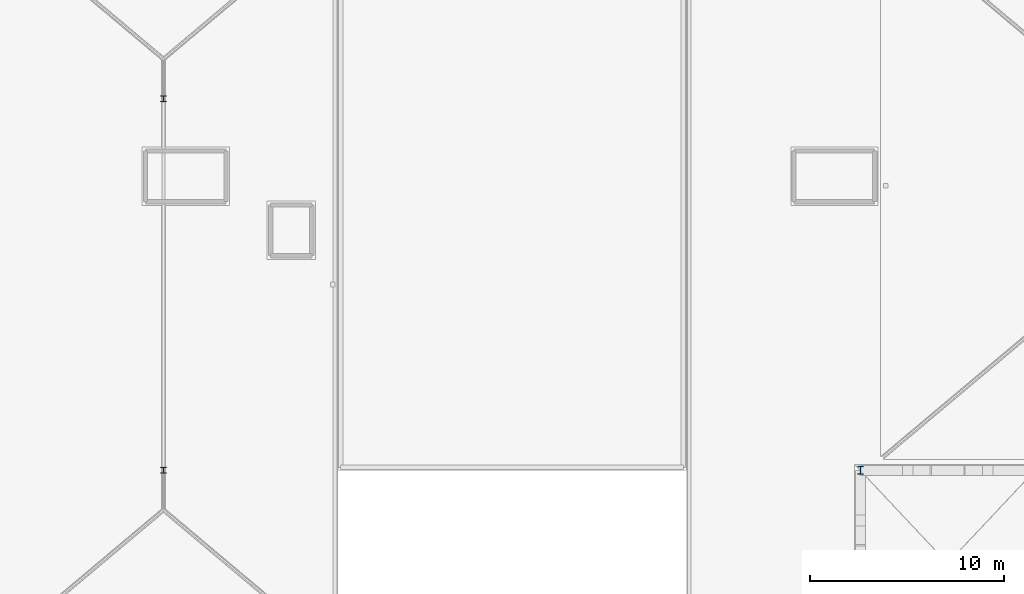
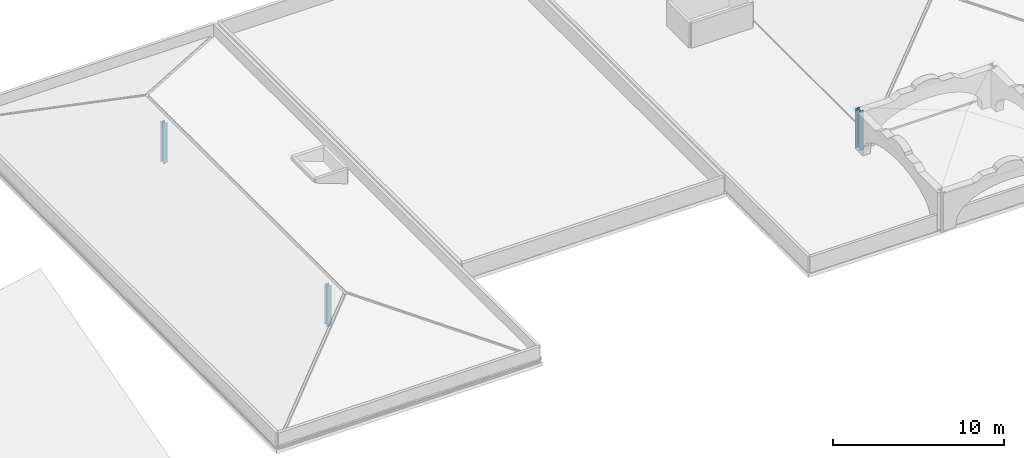
# One storey, part 2 of 16: 3 columns.
"""IFC4 building model written with IfcOpenShell, lengths in metres."""

from ifc_helpers import new_model, si_unit, direction, frame, origin, origin_2d, place, context, subcontext, project, spatial, i_section, extrude, material, material_profile, profile_set, type_object, element, save


model = new_model("IFC4")

# Units and contexts
model_context = context("Model", 3, precision=1e-05, world=origin(), true_north=direction((0.0, 1.0)))
body_context = subcontext(model_context, "Body", "Model", "MODEL_VIEW")
ifc_project = project(units=[si_unit("LENGTHUNIT", "METRE"), si_unit("AREAUNIT", "SQUARE_METRE"), si_unit("VOLUMEUNIT", "CUBIC_METRE"), si_unit("PLANEANGLEUNIT", "RADIAN"), si_unit("MASSUNIT", "GRAM", prefix="KILO")], contexts=[model_context])

# Site, building, storey
site_placement = place(None, origin())
site = spatial("IfcSite", under=ifc_project, at=site_placement, CompositionType="ELEMENT")
building_placement = place(site_placement, origin())
building = spatial("IfcBuilding", under=site, at=building_placement, Name="Myrtia Square Station", CompositionType="ELEMENT")
storey_placement = place(building_placement, frame((0.0, 0.0, 22.800048828125)))
storey = spatial("IfcBuildingStorey", under=building, at=storey_placement, Name="RF", CompositionType="ELEMENT", Elevation=22.800048828125)

# Columns
ifc_material = material(Name="Steel S355", Category="steel")
ifc_material_profile_1 = material_profile(ifc_material, i_section(OverallWidth=0.300048828125, OverallDepth=0.300048828125, WebThickness=0.010986328125, FlangeThickness=0.01904296875, FilletRadius=0.027099609375, at=origin_2d()), Name="HEB 300")
ifc_profile_set_1 = profile_set([ifc_material_profile_1], Name="Steel S355")
column_type_1 = type_object("IfcColumnType", Name="COL-HEB300", PredefinedType="COLUMN", material=ifc_profile_set_1)
for number, where, z_axis, x_axis, name in (
    (1, (135.0, 96.0, 0.0048828125), (0.0, 0.0, 1.0), (1.0, 0.0, 0.0), "Hipped roof stack post HIP-V5W-3"),
    (2, (135.0, 115.199951171875, 0.0048828125), (0.0, 0.0, 1.0), (1.0, 0.0, 0.0), "Hipped roof stack post HIP-V5W-4"),
):
    element("IfcColumn", number, at=place(storey_placement, frame(where, z_axis=z_axis, x_axis=x_axis)), inside=storey, type_object=column_type_1, Name=name, PredefinedType="COLUMN", context=body_context, shape_type="SweptSolid", body=[
        extrude(i_section(OverallWidth=0.300048828125, OverallDepth=0.300048828125, WebThickness=0.010986328125, FlangeThickness=0.01904296875, FilletRadius=0.027099609375, at=origin_2d()), origin(), (0.0, 0.0, 1.0), 2.89501953125),
    ])
ifc_material_profile_2 = material_profile(ifc_material, i_section(OverallWidth=0.300048828125, OverallDepth=0.39990234375, WebThickness=0.013427734375, FlangeThickness=0.02392578125, FilletRadius=0.027099609375, at=origin_2d()), Name="HEB 400")
ifc_profile_set_2 = profile_set([ifc_material_profile_2], Name="Steel S355")
column_type_2 = type_object("IfcColumnType", Name="COL-HEB400", PredefinedType="COLUMN", material=ifc_profile_set_2)
column_placement = place(storey_placement, frame((171.0, 96.0, 0.0048828125), z_axis=(0.0, 0.0, 1.0), x_axis=(1.0, 0.0, 0.0)))
element("IfcColumn", 3, at=column_placement, inside=storey, type_object=column_type_2, Name="Station clock tower belfry column 3", PredefinedType="COLUMN", context=body_context, shape_type="SweptSolid", body=[
    extrude(i_section(OverallWidth=0.300048828125, OverallDepth=0.39990234375, WebThickness=0.013427734375, FlangeThickness=0.02392578125, FilletRadius=0.027099609375, at=origin_2d()), origin(), (0.0, 0.0, 1.0), 2.844970703125),
])

save(model, "model.ifc")
